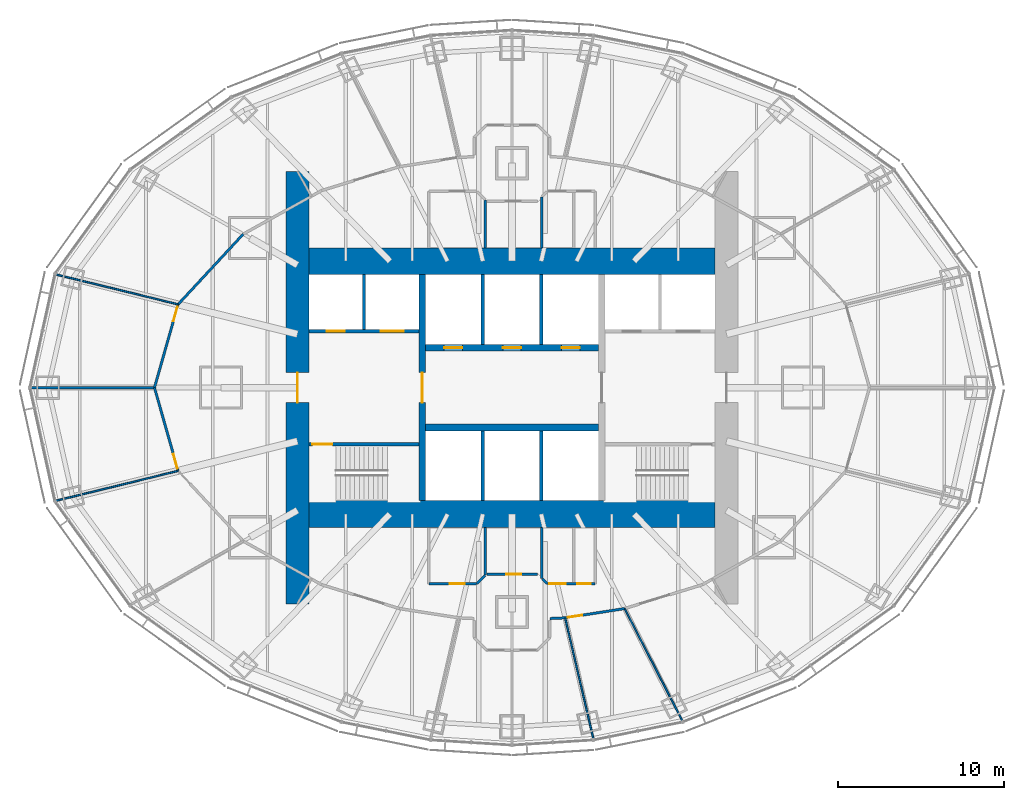
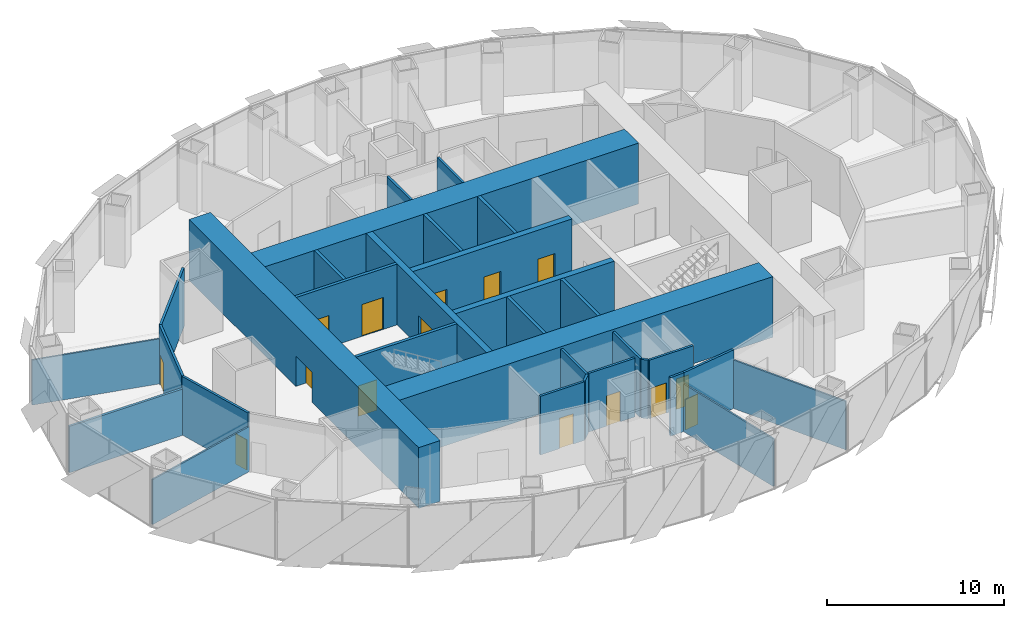
# One storey, part 11 of 17: 32 walls, 15 doors, 15 openings.
"""IFC4 building model written with IfcOpenShell, lengths in metres."""

from ifc_helpers import new_model, si_unit, direction, frame, frame_2d, origin, place, context, subcontext, project, spatial, rectangle, extrude, material, layer, layer_set, type_object, element, fill, save


model = new_model("IFC4")

# Units and contexts
model_context = context("Model", 3, precision=1e-05, world=origin(), true_north=direction((0.0, 1.0)))
body_context = subcontext(model_context, "Body", "Model", "MODEL_VIEW")
ifc_project = project(units=[si_unit("LENGTHUNIT", "METRE"), si_unit("AREAUNIT", "SQUARE_METRE"), si_unit("VOLUMEUNIT", "CUBIC_METRE"), si_unit("PLANEANGLEUNIT", "RADIAN"), si_unit("MASSUNIT", "GRAM", prefix="KILO")], contexts=[model_context])

# Site, building, storey
site_placement = place(None, origin())
site = spatial("IfcSite", under=ifc_project, at=site_placement, CompositionType="ELEMENT")
building_placement = place(site_placement, origin())
building = spatial("IfcBuilding", under=site, at=building_placement, Name="Lantaw Convention Tower", CompositionType="ELEMENT")
storey_placement = place(building_placement, frame((0.0, 0.0, 159.39990234375)))
storey = spatial("IfcBuildingStorey", under=building, at=storey_placement, Name="L37", CompositionType="ELEMENT", Elevation=159.39990234375)

# Wall, opening, door
ifc_material_1 = material(Name="Concrete C60/75", Category="concrete")
ifc_layer_1 = layer(ifc_material_1, 1.39990234375)
ifc_layer_set_1 = layer_set([ifc_layer_1], Name="Core wall 1400")
wall_type_1 = type_object("IfcWallType", Name="Core wall 1400", PredefinedType="SHEAR", material=ifc_layer_set_1)
wall_1_placement = place(storey_placement, frame((-12.89990234375, 13.0, 0.0), z_axis=(0.0, 0.0, 1.0), x_axis=(0.0, -1.0, 0.0)))
wall_1 = element("IfcWall", 1, at=wall_1_placement, inside=storey, type_object=wall_type_1, Name="Core wall W", PredefinedType="SHEAR", context=body_context, shape_type="SweptSolid", body=[
    extrude(rectangle(XDim=26.0, YDim=1.39990234375, at=frame_2d((13.0, 0.0))), origin(), (0.0, 0.0, 1.0), 4.2001953125),
])
opening_1_placement = place(wall_1_placement, frame((12.10009765625, 0.0, 0.0)))
opening_1 = element("IfcOpeningElement", 2, at=opening_1_placement, cuts=wall_1, Name="Opening L37.06", PredefinedType="OPENING", context=body_context, shape_type="SweptSolid", body=[
    extrude(rectangle(XDim=1.800048828125, YDim=2.10009765625, at=frame_2d((0.89990234375, 1.050048828125))), frame((0.0, 0.7099609375, 0.0), z_axis=(0.0, -1.0, 0.0), x_axis=(1.0, 0.0, 0.0)), (0.0, 0.0, 1.0), 1.419921875),
])
ifc_material_2 = material(Name="Steel, fire rated", Category="steel")
door_type_1 = type_object("IfcDoorType", Name="Lobby double door FD90", OperationType="DOUBLE_DOOR_DOUBLE_SWING", PredefinedType="DOOR", material=ifc_material_2)
door_1_placement = place(opening_1_placement, origin())
door_1 = element("IfcDoor", 3, at=door_1_placement, inside=storey, type_object=door_type_1, Name="Firefighting lobby door", OperationType="DOUBLE_DOOR_DOUBLE_SWING", OverallHeight=2.10009765625, OverallWidth=1.800048828125, PredefinedType="DOOR", context=body_context, shape_type="SweptSolid", body=[
    extrude(rectangle(XDim=1.800048828125, YDim=2.10009765625, at=frame_2d((0.89990234375, 1.050048828125))), frame((0.0, 0.02490234375, 0.0), z_axis=(0.0, -1.0, 0.0), x_axis=(1.0, 0.0, 0.0)), (0.0, 0.0, 1.0), 0.050048828125),
])
fill(opening_1, door_1)

# Walls
ifc_layer_2 = layer(ifc_material_1, 1.60009765625)
ifc_layer_set_2 = layer_set([ifc_layer_2], Name="Core wall 1600")
wall_type_2 = type_object("IfcWallType", Name="Core wall 1600", PredefinedType="SHEAR", material=ifc_layer_set_2)
for number, where, z_axis, x_axis, name in (
    (4, (-12.199951171875, -7.60009765625, 0.0), (0.0, 0.0, 1.0), (1.0, 0.0, 0.0), "Core wall S"),
    (5, (12.199951171875, 7.60009765625, 0.0), (0.0, 0.0, 1.0), (-1.0, 0.0, 0.0), "Core wall N"),
):
    element("IfcWall", number, at=place(storey_placement, frame(where, z_axis=z_axis, x_axis=x_axis)), inside=storey, type_object=wall_type_2, Name=name, PredefinedType="SHEAR", context=body_context, shape_type="SweptSolid", body=[
        extrude(rectangle(XDim=24.39990234375, YDim=1.60009765625, at=frame_2d((12.199951171875, 0.0))), origin(), (0.0, 0.0, 1.0), 4.2001953125),
    ])

# Wall, opening, door
ifc_layer_3 = layer(ifc_material_1, 0.199951171875)
ifc_layer_set_3 = layer_set([ifc_layer_3], Name="Core wall 200")
wall_type_3 = type_object("IfcWallType", Name="Core wall 200", PredefinedType="SHEAR", material=ifc_layer_set_3)
wall_2_placement = place(storey_placement, frame((-5.60009765625, -3.39990234375, 0.0), z_axis=(0.0, 0.0, 1.0), x_axis=(-1.0, 0.0, 0.0)))
wall_2 = element("IfcWall", 6, at=wall_2_placement, inside=storey, type_object=wall_type_3, Name="Core wall WS", PredefinedType="SHEAR", context=body_context, shape_type="SweptSolid", body=[
    extrude(rectangle(XDim=6.599853515625, YDim=0.199951171875, at=frame_2d((3.2998046875, 0.0))), origin(), (0.0, 0.0, 1.0), 4.2001953125),
])
opening_2_placement = place(wall_2_placement, frame((5.199951171875, 0.0, 0.0)))
opening_2 = element("IfcOpeningElement", 7, at=opening_2_placement, cuts=wall_2, Name="Opening L37.04", PredefinedType="OPENING", context=body_context, shape_type="SweptSolid", body=[
    extrude(rectangle(XDim=1.199951171875, YDim=2.10009765625, at=frame_2d((0.60009765625, 1.050048828125))), frame((0.0, 0.10986328125, 0.0), z_axis=(0.0, -1.0, 0.0), x_axis=(1.0, 0.0, 0.0)), (0.0, 0.0, 1.0), 0.219970703125),
])
door_type_2 = type_object("IfcDoorType", Name="Stair door FD90", OperationType="SINGLE_SWING_RIGHT", PredefinedType="DOOR", material=ifc_material_2)
door_2_placement = place(opening_2_placement, origin())
door_2 = element("IfcDoor", 8, at=door_2_placement, inside=storey, type_object=door_type_2, Name="Exit stair door", OperationType="SINGLE_SWING_RIGHT", OverallHeight=2.10009765625, OverallWidth=1.199951171875, PredefinedType="DOOR", context=body_context, shape_type="SweptSolid", body=[
    extrude(rectangle(XDim=1.199951171875, YDim=2.10009765625, at=frame_2d((0.60009765625, 1.050048828125))), frame((0.0, 0.02490234375, 0.0), z_axis=(0.0, -1.0, 0.0), x_axis=(1.0, 0.0, 0.0)), (0.0, 0.0, 1.0), 0.050048828125),
])
fill(opening_2, door_2)

ifc_layer_4 = layer(ifc_material_1, 0.39990234375)
ifc_layer_set_4 = layer_set([ifc_layer_4], Name="Core wall 400")
wall_type_4 = type_object("IfcWallType", Name="Core wall 400", PredefinedType="SHEAR", material=ifc_layer_set_4)
wall_3_placement = place(storey_placement, frame((-5.39990234375, 6.800048828125, 0.0), z_axis=(0.0, 0.0, 1.0), x_axis=(0.0, -1.0, 0.0)))
wall_3 = element("IfcWall", 9, at=wall_3_placement, inside=storey, type_object=wall_type_4, Name="Core wall XW", PredefinedType="SHEAR", context=body_context, shape_type="SweptSolid", body=[
    extrude(rectangle(XDim=13.60009765625, YDim=0.39990234375, at=frame_2d((6.800048828125, 0.0))), origin(), (0.0, 0.0, 1.0), 4.2001953125),
])
opening_3_placement = place(wall_3_placement, frame((5.89990234375, 0.0, 0.0)))
opening_3 = element("IfcOpeningElement", 10, at=opening_3_placement, cuts=wall_3, Name="Opening L37.02", PredefinedType="OPENING", context=body_context, shape_type="SweptSolid", body=[
    extrude(rectangle(XDim=1.800048828125, YDim=2.10009765625, at=frame_2d((0.89990234375, 1.050048828125))), frame((0.0, 0.2099609375, 0.0), z_axis=(0.0, -1.0, 0.0), x_axis=(1.0, 0.0, 0.0)), (0.0, 0.0, 1.0), 0.419921875),
])
door_3_placement = place(opening_3_placement, origin())
door_3 = element("IfcDoor", 11, at=door_3_placement, inside=storey, type_object=door_type_1, Name="Lift lobby door", OperationType="DOUBLE_DOOR_DOUBLE_SWING", OverallHeight=2.10009765625, OverallWidth=1.800048828125, PredefinedType="DOOR", context=body_context, shape_type="SweptSolid", body=[
    extrude(rectangle(XDim=1.800048828125, YDim=2.10009765625, at=frame_2d((0.89990234375, 1.050048828125))), frame((0.0, 0.02490234375, 0.0), z_axis=(0.0, -1.0, 0.0), x_axis=(1.0, 0.0, 0.0)), (0.0, 0.0, 1.0), 0.050048828125),
])
fill(opening_3, door_3)

# Wall
wall_4_placement = place(storey_placement, frame((-5.199951171875, -2.39990234375, 0.0), z_axis=(0.0, 0.0, 1.0), x_axis=(1.0, 0.0, 0.0)))
element("IfcWall", 12, at=wall_4_placement, inside=storey, type_object=wall_type_4, Name="Core wall BS", PredefinedType="SHEAR", context=body_context, shape_type="SweptSolid", body=[
    extrude(rectangle(XDim=10.39990234375, YDim=0.39990234375, at=frame_2d((5.199951171875, 0.0))), origin(), (0.0, 0.0, 1.0), 4.2001953125),
])

# Wall, openings, doors
wall_5_placement = place(storey_placement, frame((5.199951171875, 2.39990234375, 0.0), z_axis=(0.0, 0.0, 1.0), x_axis=(-1.0, 0.0, 0.0)))
wall_5 = element("IfcWall", 13, at=wall_5_placement, inside=storey, type_object=wall_type_4, Name="Core wall BN", PredefinedType="SHEAR", context=body_context, shape_type="SweptSolid", body=[
    extrude(rectangle(XDim=10.39990234375, YDim=0.39990234375, at=frame_2d((5.199951171875, 0.0))), origin(), (0.0, 0.0, 1.0), 4.2001953125),
])
opening_4_placement = place(wall_5_placement, frame((8.183349609375, 0.0, 0.0)))
opening_4 = element("IfcOpeningElement", 14, at=opening_4_placement, cuts=wall_5, Name="Opening L37.07", PredefinedType="OPENING", context=body_context, shape_type="SweptSolid", body=[
    extrude(rectangle(XDim=1.10009765625, YDim=2.199951171875, at=frame_2d((0.550048828125, 1.10009765625))), frame((0.0, 0.2099609375, 0.0), z_axis=(0.0, -1.0, 0.0), x_axis=(1.0, 0.0, 0.0)), (0.0, 0.0, 1.0), 0.419921875),
])
opening_5_placement = place(wall_5_placement, frame((4.64990234375, 0.0, 0.0)))
opening_5 = element("IfcOpeningElement", 15, at=opening_5_placement, cuts=wall_5, Name="Opening L37.08", PredefinedType="OPENING", context=body_context, shape_type="SweptSolid", body=[
    extrude(rectangle(XDim=1.10009765625, YDim=2.199951171875, at=frame_2d((0.550048828125, 1.10009765625))), frame((0.0, 0.2099609375, 0.0), z_axis=(0.0, -1.0, 0.0), x_axis=(1.0, 0.0, 0.0)), (0.0, 0.0, 1.0), 0.419921875),
])
opening_6_placement = place(wall_5_placement, frame((1.11669921875, 0.0, 0.0)))
opening_6 = element("IfcOpeningElement", 16, at=opening_6_placement, cuts=wall_5, Name="Opening L37.09", PredefinedType="OPENING", context=body_context, shape_type="SweptSolid", body=[
    extrude(rectangle(XDim=1.10009765625, YDim=2.199951171875, at=frame_2d((0.550048828125, 1.10009765625))), frame((0.0, 0.2099609375, 0.0), z_axis=(0.0, -1.0, 0.0), x_axis=(1.0, 0.0, 0.0)), (0.0, 0.0, 1.0), 0.419921875),
])
ifc_material_3 = material(Name="Stainless steel", Category="steel")
door_type_3 = type_object("IfcDoorType", Name="Lift landing door 1100", OperationType="DOUBLE_DOOR_SLIDING", PredefinedType="DOOR", material=ifc_material_3)
door_4_placement = place(opening_4_placement, origin())
door_4 = element("IfcDoor", 17, at=door_4_placement, inside=storey, type_object=door_type_3, Name="Lift landing door N1", OperationType="DOUBLE_DOOR_SLIDING", OverallHeight=2.199951171875, OverallWidth=1.10009765625, PredefinedType="DOOR", context=body_context, shape_type="SweptSolid", body=[
    extrude(rectangle(XDim=1.10009765625, YDim=2.199951171875, at=frame_2d((0.550048828125, 1.10009765625))), frame((0.0, 0.02490234375, 0.0), z_axis=(0.0, -1.0, 0.0), x_axis=(1.0, 0.0, 0.0)), (0.0, 0.0, 1.0), 0.050048828125),
])
fill(opening_4, door_4)
door_5_placement = place(opening_5_placement, origin())
door_5 = element("IfcDoor", 18, at=door_5_placement, inside=storey, type_object=door_type_3, Name="Lift landing door N2", OperationType="DOUBLE_DOOR_SLIDING", OverallHeight=2.199951171875, OverallWidth=1.10009765625, PredefinedType="DOOR", context=body_context, shape_type="SweptSolid", body=[
    extrude(rectangle(XDim=1.10009765625, YDim=2.199951171875, at=frame_2d((0.550048828125, 1.10009765625))), frame((0.0, 0.02490234375, 0.0), z_axis=(0.0, -1.0, 0.0), x_axis=(1.0, 0.0, 0.0)), (0.0, 0.0, 1.0), 0.050048828125),
])
fill(opening_5, door_5)
door_6_placement = place(opening_6_placement, origin())
door_6 = element("IfcDoor", 19, at=door_6_placement, inside=storey, type_object=door_type_3, Name="Lift landing door N3", OperationType="DOUBLE_DOOR_SLIDING", OverallHeight=2.199951171875, OverallWidth=1.10009765625, PredefinedType="DOOR", context=body_context, shape_type="SweptSolid", body=[
    extrude(rectangle(XDim=1.10009765625, YDim=2.199951171875, at=frame_2d((0.550048828125, 1.10009765625))), frame((0.0, 0.02490234375, 0.0), z_axis=(0.0, -1.0, 0.0), x_axis=(1.0, 0.0, 0.0)), (0.0, 0.0, 1.0), 0.050048828125),
])
fill(opening_6, door_6)

# Wall
ifc_material_4 = material(Name="Gypsum board on steel studs, fire rated", Category="steel")
ifc_layer_5 = layer(ifc_material_4, 0.14990234375)
ifc_layer_set_5 = layer_set([ifc_layer_5], Name="Corridor wall 150 EI 60")
wall_type_5 = type_object("IfcWallType", Name="Corridor wall 150 EI 60", PredefinedType="PARTITIONING", material=ifc_layer_set_5)
wall_6_placement = place(storey_placement, frame((-16.159912109375, 9.234375, 0.0), z_axis=(0.0, 0.0, 1.0), x_axis=(-0.679724658223, -0.733467374191, 0.0)))
element("IfcWall", 20, at=wall_6_placement, inside=storey, type_object=wall_type_5, Name="Corridor wall 150", PredefinedType="PARTITIONING", context=body_context, shape_type="SweptSolid", body=[
    extrude(rectangle(XDim=5.764892578125, YDim=0.14990234375, at=frame_2d((2.88232421875, 0.0))), origin(), (0.0, 0.0, 1.0), 4.050048828125),
])

# Wall, opening, door
wall_7_placement = place(storey_placement, frame((-20.078369140625, 5.006103515625, 0.0), z_axis=(0.0, 0.0, 1.0), x_axis=(-0.273177936169, -0.961963520717, 0.0)))
wall_7 = element("IfcWall", 21, at=wall_7_placement, inside=storey, type_object=wall_type_5, Name="Corridor wall 150", PredefinedType="PARTITIONING", context=body_context, shape_type="SweptSolid", body=[
    extrude(rectangle(XDim=5.2041015625, YDim=0.14990234375, at=frame_2d((2.60205078125, 0.0))), origin(), (0.0, 0.0, 1.0), 4.050048828125),
])
opening_7_placement = place(wall_7_placement, frame((0.14990234375, 0.0, 0.0)))
opening_7 = element("IfcOpeningElement", 22, at=opening_7_placement, cuts=wall_7, Name="Opening L37.29", PredefinedType="OPENING", context=body_context, shape_type="SweptSolid", body=[
    extrude(rectangle(XDim=0.89990234375, YDim=2.10009765625, at=frame_2d((0.449951171875, 1.050048828125))), frame((0.0, 0.0849609375, 0.0), z_axis=(0.0, -1.0, 0.0), x_axis=(1.0, 0.0, 0.0)), (0.0, 0.0, 1.0), 0.169921875),
])
door_type_4 = type_object("IfcDoorType", Name="Office door 900 FD30", OperationType="SINGLE_SWING_LEFT", PredefinedType="DOOR", material=ifc_material_2)
door_7_placement = place(opening_7_placement, origin())
door_7 = element("IfcDoor", 23, at=door_7_placement, inside=storey, type_object=door_type_4, Name="Pantry door", OperationType="SINGLE_SWING_LEFT", OverallHeight=2.10009765625, OverallWidth=0.89990234375, PredefinedType="DOOR", context=body_context, shape_type="SweptSolid", body=[
    extrude(rectangle(XDim=0.89990234375, YDim=2.10009765625, at=frame_2d((0.449951171875, 1.050048828125))), frame((0.0, 0.02490234375, 0.0), z_axis=(0.0, -1.0, 0.0), x_axis=(1.0, 0.0, 0.0)), (0.0, 0.0, 1.0), 0.050048828125),
])
fill(opening_7, door_7)

wall_8_placement = place(storey_placement, frame((-21.5, 0.0, 0.0), z_axis=(0.0, 0.0, 1.0), x_axis=(0.273177936169, -0.961963520717, 0.0)))
wall_8 = element("IfcWall", 24, at=wall_8_placement, inside=storey, type_object=wall_type_5, Name="Corridor wall 150", PredefinedType="PARTITIONING", context=body_context, shape_type="SweptSolid", body=[
    extrude(rectangle(XDim=5.2041015625, YDim=0.14990234375, at=frame_2d((2.60205078125, 0.0))), origin(), (0.0, 0.0, 1.0), 4.050048828125),
])
opening_8_placement = place(wall_8_placement, frame((4.154052734375, 0.0, 0.0)))
opening_8 = element("IfcOpeningElement", 25, at=opening_8_placement, cuts=wall_8, Name="Opening L37.30", PredefinedType="OPENING", context=body_context, shape_type="SweptSolid", body=[
    extrude(rectangle(XDim=0.89990234375, YDim=2.10009765625, at=frame_2d((0.449951171875, 1.050048828125))), frame((0.0, 0.0849609375, 0.0), z_axis=(0.0, -1.0, 0.0), x_axis=(1.0, 0.0, 0.0)), (0.0, 0.0, 1.0), 0.169921875),
])
door_8_placement = place(opening_8_placement, origin())
door_8 = element("IfcDoor", 26, at=door_8_placement, inside=storey, type_object=door_type_4, Name="Meeting room door", OperationType="SINGLE_SWING_LEFT", OverallHeight=2.10009765625, OverallWidth=0.89990234375, PredefinedType="DOOR", context=body_context, shape_type="SweptSolid", body=[
    extrude(rectangle(XDim=0.89990234375, YDim=2.10009765625, at=frame_2d((0.449951171875, 1.050048828125))), frame((0.0, 0.02490234375, 0.0), z_axis=(0.0, -1.0, 0.0), x_axis=(1.0, 0.0, 0.0)), (0.0, 0.0, 1.0), 0.050048828125),
])
fill(opening_8, door_8)

wall_9_placement = place(storey_placement, frame((3.1962890625, -13.844482421875, 0.0), z_axis=(0.0, 0.0, 1.0), x_axis=(0.98808911792, 0.153882731479, 0.0)))
wall_9 = element("IfcWall", 27, at=wall_9_placement, inside=storey, type_object=wall_type_5, Name="Corridor wall 150", PredefinedType="PARTITIONING", context=body_context, shape_type="SweptSolid", body=[
    extrude(rectangle(XDim=3.6171875, YDim=0.14990234375, at=frame_2d((1.80859375, 0.0))), origin(), (0.0, 0.0, 1.0), 4.050048828125),
])
opening_9_placement = place(wall_9_placement, frame((0.14990234375, 0.0, 0.0)))
opening_9 = element("IfcOpeningElement", 28, at=opening_9_placement, cuts=wall_9, Name="Opening L37.35", PredefinedType="OPENING", context=body_context, shape_type="SweptSolid", body=[
    extrude(rectangle(XDim=0.89990234375, YDim=2.10009765625, at=frame_2d((0.449951171875, 1.050048828125))), frame((0.0, 0.0849609375, 0.0), z_axis=(0.0, -1.0, 0.0), x_axis=(1.0, 0.0, 0.0)), (0.0, 0.0, 1.0), 0.169921875),
])
door_9_placement = place(opening_9_placement, origin())
door_9 = element("IfcDoor", 29, at=door_9_placement, inside=storey, type_object=door_type_4, Name="Private office door", OperationType="SINGLE_SWING_LEFT", OverallHeight=2.10009765625, OverallWidth=0.89990234375, PredefinedType="DOOR", context=body_context, shape_type="SweptSolid", body=[
    extrude(rectangle(XDim=0.89990234375, YDim=2.10009765625, at=frame_2d((0.449951171875, 1.050048828125))), frame((0.0, 0.02490234375, 0.0), z_axis=(0.0, -1.0, 0.0), x_axis=(1.0, 0.0, 0.0)), (0.0, 0.0, 1.0), 0.050048828125),
])
fill(opening_9, door_9)

# Walls
wall_10_placement = place(storey_placement, frame((2.294921875, -13.88818359375, 0.0), z_axis=(0.0, 0.0, 1.0), x_axis=(0.998826757305, 0.048426324366, 0.0)))
element("IfcWall", 30, at=wall_10_placement, inside=storey, type_object=wall_type_5, Name="Corridor wall 150", PredefinedType="PARTITIONING", context=body_context, shape_type="SweptSolid", body=[
    extrude(rectangle(XDim=0.90234375, YDim=0.14990234375, at=frame_2d((0.451171875, 0.0))), origin(), (0.0, 0.0, 1.0), 4.050048828125),
])
ifc_material_5 = material(Name="Gypsum board on steel studs, acoustic", Category="steel")
ifc_layer_6 = layer(ifc_material_5, 0.10009765625)
ifc_layer_set_6 = layer_set([ifc_layer_6], Name="Office partition 100")
wall_type_6 = type_object("IfcWallType", Name="Office partition 100", PredefinedType="PARTITIONING", material=ifc_layer_set_6)
for number, where, z_axis, x_axis, name in (
    (31, (-27.440673828125, 6.808837890625, 0.0), (0.0, 0.0, 1.0), (0.971305815804, -0.237834001323, 0.0), "Office partition 100"),
    (32, (-27.440673828125, -6.808837890625, 0.0), (0.0, 0.0, 1.0), (0.971305815804, 0.237834001323, 0.0), "Office partition 100"),
):
    element("IfcWall", number, at=place(storey_placement, frame(where, z_axis=z_axis, x_axis=x_axis)), inside=storey, type_object=wall_type_6, Name=name, PredefinedType="PARTITIONING", context=body_context, shape_type="SweptSolid", body=[
        extrude(rectangle(XDim=7.579833984375, YDim=0.10009765625, at=frame_2d((3.7900390625, 0.0))), origin(), (0.0, 0.0, 1.0), 3.11279296875),
    ])
wall_11_placement = place(storey_placement, frame((4.89697265625, -21.134765625, 0.0), z_axis=(0.0, 0.0, 1.0), x_axis=(-0.227181159974, 0.973852514785, 0.0)))
element("IfcWall", 33, at=wall_11_placement, inside=storey, type_object=wall_type_6, Name="Office partition 100", PredefinedType="PARTITIONING", context=body_context, shape_type="SweptSolid", body=[
    extrude(rectangle(XDim=7.486083984375, YDim=0.10009765625, at=frame_2d((3.7431640625, 0.0))), origin(), (0.0, 0.0, 1.0), 3.293212890625),
])
wall_12_placement = place(storey_placement, frame((10.25341796875, -20.0517578125, 0.0), z_axis=(0.0, 0.0, 1.0), x_axis=(-0.457797505753, 0.88905649074, 0.0)))
element("IfcWall", 34, at=wall_12_placement, inside=storey, type_object=wall_type_6, Name="Office partition 100", PredefinedType="PARTITIONING", context=body_context, shape_type="SweptSolid", body=[
    extrude(rectangle(XDim=7.60791015625, YDim=0.10009765625, at=frame_2d((3.803955078125, 0.0))), origin(), (0.0, 0.0, 1.0), 3.34912109375),
])
ifc_material_6 = material(Name="Concrete blockwork, fire rated", Category="masonry")
ifc_layer_7 = layer(ifc_material_6, 0.199951171875)
ifc_layer_set_7 = layer_set([ifc_layer_7], Name="Shaft wall 200")
wall_type_7 = type_object("IfcWallType", Name="Shaft wall 200", PredefinedType="SOLIDWALL", material=ifc_layer_set_7)
for number, where, z_axis, x_axis, name in (
    (35, (-1.7666015625, 2.60009765625, 0.0), (0.0, 0.0, 1.0), (0.0, 1.0, 0.0), "Shaft wall DN1"),
    (36, (1.7666015625, 2.60009765625, 0.0), (0.0, 0.0, 1.0), (0.0, 1.0, 0.0), "Shaft wall DN2"),
):
    element("IfcWall", number, at=place(storey_placement, frame(where, z_axis=z_axis, x_axis=x_axis)), inside=storey, type_object=wall_type_7, Name=name, PredefinedType="SOLIDWALL", context=body_context, shape_type="SweptSolid", body=[
        extrude(rectangle(XDim=4.199951171875, YDim=0.199951171875, at=frame_2d((2.10009765625, 0.0))), origin(), (0.0, 0.0, 1.0), 4.2001953125),
    ])

# Wall, openings, doors
wall_13_placement = place(storey_placement, frame((-12.199951171875, 3.39990234375, 0.0), z_axis=(0.0, 0.0, 1.0), x_axis=(1.0, 0.0, 0.0)))
wall_13 = element("IfcWall", 37, at=wall_13_placement, inside=storey, type_object=wall_type_7, Name="Shaft wall WN", PredefinedType="SOLIDWALL", context=body_context, shape_type="SweptSolid", body=[
    extrude(rectangle(XDim=6.599853515625, YDim=0.199951171875, at=frame_2d((3.2998046875, 0.0))), origin(), (0.0, 0.0, 1.0), 4.2001953125),
])
opening_10_placement = place(wall_13_placement, frame((1.050048828125, 0.0, 0.0)))
opening_10 = element("IfcOpeningElement", 38, at=opening_10_placement, cuts=wall_13, Name="Opening L37.10", PredefinedType="OPENING", context=body_context, shape_type="SweptSolid", body=[
    extrude(rectangle(XDim=1.10009765625, YDim=2.199951171875, at=frame_2d((0.550048828125, 1.10009765625))), frame((0.0, 0.10986328125, 0.0), z_axis=(0.0, -1.0, 0.0), x_axis=(1.0, 0.0, 0.0)), (0.0, 0.0, 1.0), 0.219970703125),
])
opening_11_placement = place(wall_13_placement, frame((4.300048828125, 0.0, 0.0)))
opening_11 = element("IfcOpeningElement", 39, at=opening_11_placement, cuts=wall_13, Name="Opening L37.11", PredefinedType="OPENING", context=body_context, shape_type="SweptSolid", body=[
    extrude(rectangle(XDim=1.39990234375, YDim=2.199951171875, at=frame_2d((0.699951171875, 1.10009765625))), frame((0.0, 0.10986328125, 0.0), z_axis=(0.0, -1.0, 0.0), x_axis=(1.0, 0.0, 0.0)), (0.0, 0.0, 1.0), 0.219970703125),
])
door_10_placement = place(opening_10_placement, origin())
door_10 = element("IfcDoor", 40, at=door_10_placement, inside=storey, type_object=door_type_3, Name="Lift landing door FF1", OperationType="DOUBLE_DOOR_SLIDING", OverallHeight=2.199951171875, OverallWidth=1.10009765625, PredefinedType="DOOR", context=body_context, shape_type="SweptSolid", body=[
    extrude(rectangle(XDim=1.10009765625, YDim=2.199951171875, at=frame_2d((0.550048828125, 1.10009765625))), frame((0.0, 0.02490234375, 0.0), z_axis=(0.0, -1.0, 0.0), x_axis=(1.0, 0.0, 0.0)), (0.0, 0.0, 1.0), 0.050048828125),
])
fill(opening_10, door_10)
door_type_5 = type_object("IfcDoorType", Name="Lift landing door 1400", OperationType="DOUBLE_DOOR_SLIDING", PredefinedType="DOOR", material=ifc_material_3)
door_11_placement = place(opening_11_placement, origin())
door_11 = element("IfcDoor", 41, at=door_11_placement, inside=storey, type_object=door_type_5, Name="Lift landing door SV1", OperationType="DOUBLE_DOOR_SLIDING", OverallHeight=2.199951171875, OverallWidth=1.39990234375, PredefinedType="DOOR", context=body_context, shape_type="SweptSolid", body=[
    extrude(rectangle(XDim=1.39990234375, YDim=2.199951171875, at=frame_2d((0.699951171875, 1.10009765625))), frame((0.0, 0.02490234375, 0.0), z_axis=(0.0, -1.0, 0.0), x_axis=(1.0, 0.0, 0.0)), (0.0, 0.0, 1.0), 0.050048828125),
])
fill(opening_11, door_11)

# Walls
wall_14_placement = place(storey_placement, frame((-8.89990234375, 3.5, 0.0), z_axis=(0.0, 0.0, 1.0), x_axis=(0.0, 1.0, 0.0)))
element("IfcWall", 42, at=wall_14_placement, inside=storey, type_object=wall_type_7, Name="Shaft wall WD", PredefinedType="SOLIDWALL", context=body_context, shape_type="SweptSolid", body=[
    extrude(rectangle(XDim=3.300048828125, YDim=0.199951171875, at=frame_2d((1.64990234375, 0.0))), origin(), (0.0, 0.0, 1.0), 4.2001953125),
])
ifc_layer_8 = layer(ifc_material_6, 0.199951171875)
ifc_layer_set_8 = layer_set([ifc_layer_8], Name="Shaft wall 200 load-bearing")
wall_type_8 = type_object("IfcWallType", Name="Shaft wall 200 load-bearing", PredefinedType="SOLIDWALL", material=ifc_layer_set_8)
for number, where, z_axis, x_axis, name in (
    (43, (-1.7666015625, -2.60009765625, 0.0), (0.0, 0.0, 1.0), (0.0, -1.0, 0.0), "Shaft wall DS1"),
    (44, (1.7666015625, -2.60009765625, 0.0), (0.0, 0.0, 1.0), (0.0, -1.0, 0.0), "Shaft wall DS2"),
):
    element("IfcWall", number, at=place(storey_placement, frame(where, z_axis=z_axis, x_axis=x_axis)), inside=storey, type_object=wall_type_8, Name=name, PredefinedType="SOLIDWALL", context=body_context, shape_type="SweptSolid", body=[
        extrude(rectangle(XDim=4.199951171875, YDim=0.199951171875, at=frame_2d((2.10009765625, 0.0))), origin(), (0.0, 0.0, 1.0), 4.2001953125),
    ])
ifc_layer_9 = layer(ifc_material_4, 0.14990234375)
ifc_layer_set_9 = layer_set([ifc_layer_9], Name="Tenant separation wall 150 EI 60")
wall_type_9 = type_object("IfcWallType", Name="Tenant separation wall 150 EI 60", PredefinedType="PARTITIONING", material=ifc_layer_set_9)
wall_15_placement = place(storey_placement, frame((-28.944091796875, 0.0, 0.0), z_axis=(0.0, 0.0, 1.0), x_axis=(1.0, 0.0, 0.0)))
element("IfcWall", 45, at=wall_15_placement, inside=storey, type_object=wall_type_9, Name="Tenant separation wall 150", PredefinedType="PARTITIONING", context=body_context, shape_type="SweptSolid", body=[
    extrude(rectangle(XDim=7.444091796875, YDim=0.14990234375, at=frame_2d((3.72216796875, 0.0))), origin(), (0.0, 0.0, 1.0), 3.204345703125),
])

# Wall, opening, door
ifc_material_7 = material(Name="Concrete blockwork", Category="masonry")
ifc_layer_10 = layer(ifc_material_7, 0.14990234375)
ifc_layer_set_10 = layer_set([ifc_layer_10], Name="WC wall 150")
wall_type_10 = type_object("IfcWallType", Name="WC wall 150", PredefinedType="SOLIDWALL", material=ifc_layer_set_10)
wall_16_placement = place(storey_placement, frame((-5.0, -11.800048828125, 0.0), z_axis=(0.0, 0.0, 1.0), x_axis=(1.0, 0.0, 0.0)))
wall_16 = element("IfcWall", 46, at=wall_16_placement, inside=storey, type_object=wall_type_10, Name="WC wall 150", PredefinedType="SOLIDWALL", context=body_context, shape_type="SweptSolid", body=[
    extrude(rectangle(XDim=2.86865234375, YDim=0.14990234375, at=frame_2d((1.434326171875, 0.0))), origin(), (0.0, 0.0, 1.0), 4.050048828125),
])
opening_12_placement = place(wall_16_placement, frame((1.25, 0.0, 0.0)))
opening_12 = element("IfcOpeningElement", 47, at=opening_12_placement, cuts=wall_16, Name="Opening L37.18", PredefinedType="OPENING", context=body_context, shape_type="SweptSolid", body=[
    extrude(rectangle(XDim=0.89990234375, YDim=2.10009765625, at=frame_2d((0.449951171875, 1.050048828125))), frame((0.0, 0.0849609375, 0.0), z_axis=(0.0, -1.0, 0.0), x_axis=(1.0, 0.0, 0.0)), (0.0, 0.0, 1.0), 0.169921875),
])
ifc_material_8 = material(Name="Timber", Category="wood")
door_type_6 = type_object("IfcDoorType", Name="WC door 900", OperationType="SINGLE_SWING_LEFT", PredefinedType="DOOR", material=ifc_material_8)
door_12_placement = place(opening_12_placement, origin())
door_12 = element("IfcDoor", 48, at=door_12_placement, inside=storey, type_object=door_type_6, Name="Female WC door", OperationType="SINGLE_SWING_LEFT", OverallHeight=2.10009765625, OverallWidth=0.89990234375, PredefinedType="DOOR", context=body_context, shape_type="SweptSolid", body=[
    extrude(rectangle(XDim=0.89990234375, YDim=2.10009765625, at=frame_2d((0.449951171875, 1.050048828125))), frame((0.0, 0.02490234375, 0.0), z_axis=(0.0, -1.0, 0.0), x_axis=(1.0, 0.0, 0.0)), (0.0, 0.0, 1.0), 0.050048828125),
])
fill(opening_12, door_12)

# Wall, openings, doors
wall_17_placement = place(storey_placement, frame((2.13134765625, -11.800048828125, 0.0), z_axis=(0.0, 0.0, 1.0), x_axis=(1.0, 0.0, 0.0)))
wall_17 = element("IfcWall", 49, at=wall_17_placement, inside=storey, type_object=wall_type_10, Name="WC wall 150", PredefinedType="SOLIDWALL", context=body_context, shape_type="SweptSolid", body=[
    extrude(rectangle(XDim=2.86865234375, YDim=0.14990234375, at=frame_2d((1.434326171875, 0.0))), origin(), (0.0, 0.0, 1.0), 4.050048828125),
])
opening_13_placement = place(wall_17_placement, frame((0.10009765625, 0.0, 0.0)))
opening_13 = element("IfcOpeningElement", 50, at=opening_13_placement, cuts=wall_17, Name="Opening L37.20", PredefinedType="OPENING", context=body_context, shape_type="SweptSolid", body=[
    extrude(rectangle(XDim=1.0, YDim=2.10009765625, at=frame_2d((0.5, 1.050048828125))), frame((0.0, 0.0849609375, 0.0), z_axis=(0.0, -1.0, 0.0), x_axis=(1.0, 0.0, 0.0)), (0.0, 0.0, 1.0), 0.169921875),
])
opening_14_placement = place(wall_17_placement, frame((1.800048828125, 0.0, 0.0)))
opening_14 = element("IfcOpeningElement", 51, at=opening_14_placement, cuts=wall_17, Name="Opening L37.21", PredefinedType="OPENING", context=body_context, shape_type="SweptSolid", body=[
    extrude(rectangle(XDim=0.800048828125, YDim=2.10009765625, at=frame_2d((0.39990234375, 1.050048828125))), frame((0.0, 0.0849609375, 0.0), z_axis=(0.0, -1.0, 0.0), x_axis=(1.0, 0.0, 0.0)), (0.0, 0.0, 1.0), 0.169921875),
])
door_type_7 = type_object("IfcDoorType", Name="Accessible WC door 1000", OperationType="SINGLE_SWING_LEFT", PredefinedType="DOOR", material=ifc_material_8)
door_13_placement = place(opening_13_placement, origin())
door_13 = element("IfcDoor", 52, at=door_13_placement, inside=storey, type_object=door_type_7, Name="Accessible WC door", OperationType="SINGLE_SWING_LEFT", OverallHeight=2.10009765625, OverallWidth=1.0, PredefinedType="DOOR", context=body_context, shape_type="SweptSolid", body=[
    extrude(rectangle(XDim=1.0, YDim=2.10009765625, at=frame_2d((0.5, 1.050048828125))), frame((0.0, 0.02490234375, 0.0), z_axis=(0.0, -1.0, 0.0), x_axis=(1.0, 0.0, 0.0)), (0.0, 0.0, 1.0), 0.050048828125),
])
fill(opening_13, door_13)
door_type_8 = type_object("IfcDoorType", Name="WC door 800", OperationType="SINGLE_SWING_LEFT", PredefinedType="DOOR", material=ifc_material_8)
door_14_placement = place(opening_14_placement, origin())
door_14 = element("IfcDoor", 53, at=door_14_placement, inside=storey, type_object=door_type_8, Name="Pantry door", OperationType="SINGLE_SWING_LEFT", OverallHeight=2.10009765625, OverallWidth=0.800048828125, PredefinedType="DOOR", context=body_context, shape_type="SweptSolid", body=[
    extrude(rectangle(XDim=0.800048828125, YDim=2.10009765625, at=frame_2d((0.39990234375, 1.050048828125))), frame((0.0, 0.02490234375, 0.0), z_axis=(0.0, -1.0, 0.0), x_axis=(1.0, 0.0, 0.0)), (0.0, 0.0, 1.0), 0.050048828125),
])
fill(opening_14, door_14)

# Walls
wall_18_placement = place(storey_placement, frame((-1.60009765625, -8.39990234375, 0.0), z_axis=(0.0, 0.0, 1.0), x_axis=(0.0, -1.0, 0.0)))
element("IfcWall", 54, at=wall_18_placement, inside=storey, type_object=wall_type_10, Name="WC wall 150", PredefinedType="SOLIDWALL", context=body_context, shape_type="SweptSolid", body=[
    extrude(rectangle(XDim=2.86865234375, YDim=0.14990234375, at=frame_2d((1.434326171875, 0.0))), origin(), (0.0, 0.0, 1.0), 4.050048828125),
])
wall_19_placement = place(storey_placement, frame((1.800048828125, -8.39990234375, 0.0), z_axis=(0.0, 0.0, 1.0), x_axis=(0.0, -1.0, 0.0)))
element("IfcWall", 55, at=wall_19_placement, inside=storey, type_object=wall_type_10, Name="WC wall 150", PredefinedType="SOLIDWALL", context=body_context, shape_type="SweptSolid", body=[
    extrude(rectangle(XDim=3.068603515625, YDim=0.14990234375, at=frame_2d((1.5341796875, 0.0))), origin(), (0.0, 0.0, 1.0), 4.050048828125),
])
wall_20_placement = place(storey_placement, frame((-2.101318359375, -11.7841796875, 0.0), z_axis=(0.0, 0.0, 1.0), x_axis=(0.706928959799, 0.707284557867, 0.0)))
element("IfcWall", 56, at=wall_20_placement, inside=storey, type_object=wall_type_10, Name="WC wall 150", PredefinedType="SOLIDWALL", context=body_context, shape_type="SweptSolid", body=[
    extrude(rectangle(XDim=0.6865234375, YDim=0.14990234375, at=frame_2d((0.34326171875, 0.0))), origin(), (0.0, 0.0, 1.0), 4.050048828125),
])

# Wall, opening, door
wall_21_placement = place(storey_placement, frame((-1.4951171875, -11.215087890625, 0.0), z_axis=(0.0, 0.0, 1.0), x_axis=(1.0, 0.0, 0.0)))
wall_21 = element("IfcWall", 57, at=wall_21_placement, inside=storey, type_object=wall_type_10, Name="WC wall 150", PredefinedType="SOLIDWALL", context=body_context, shape_type="SweptSolid", body=[
    extrude(rectangle(XDim=3.02734375, YDim=0.14990234375, at=frame_2d((1.513671875, 0.0))), origin(), (0.0, 0.0, 1.0), 4.050048828125),
])
opening_15_placement = place(wall_21_placement, frame((1.14990234375, 0.0, 0.0)))
opening_15 = element("IfcOpeningElement", 58, at=opening_15_placement, cuts=wall_21, Name="Opening L37.19", PredefinedType="OPENING", context=body_context, shape_type="SweptSolid", body=[
    extrude(rectangle(XDim=0.89990234375, YDim=2.10009765625, at=frame_2d((0.449951171875, 1.050048828125))), frame((0.0, 0.0849609375, 0.0), z_axis=(0.0, -1.0, 0.0), x_axis=(1.0, 0.0, 0.0)), (0.0, 0.0, 1.0), 0.169921875),
])
door_15_placement = place(opening_15_placement, origin())
door_15 = element("IfcDoor", 59, at=door_15_placement, inside=storey, type_object=door_type_6, Name="Male WC door", OperationType="SINGLE_SWING_LEFT", OverallHeight=2.10009765625, OverallWidth=0.89990234375, PredefinedType="DOOR", context=body_context, shape_type="SweptSolid", body=[
    extrude(rectangle(XDim=0.89990234375, YDim=2.10009765625, at=frame_2d((0.449951171875, 1.050048828125))), frame((0.0, 0.02490234375, 0.0), z_axis=(0.0, -1.0, 0.0), x_axis=(1.0, 0.0, 0.0)), (0.0, 0.0, 1.0), 0.050048828125),
])
fill(opening_15, door_15)

# Walls
wall_22_placement = place(storey_placement, frame((1.81591796875, -11.49853515625, 0.0), z_axis=(0.0, 0.0, 1.0), x_axis=(0.706804405012, -0.707409028113, 0.0)))
element("IfcWall", 60, at=wall_22_placement, inside=storey, type_object=wall_type_10, Name="WC wall 150", PredefinedType="SOLIDWALL", context=body_context, shape_type="SweptSolid", body=[
    extrude(rectangle(XDim=0.40380859375, YDim=0.14990234375, at=frame_2d((0.201904296875, 0.0))), origin(), (0.0, 0.0, 1.0), 4.050048828125),
])
wall_23_placement = place(storey_placement, frame((-1.60009765625, 8.39990234375, 0.0), z_axis=(0.0, 0.0, 1.0), x_axis=(0.0, 1.0, 0.0)))
element("IfcWall", 61, at=wall_23_placement, inside=storey, type_object=wall_type_10, Name="WC wall 150", PredefinedType="SOLIDWALL", context=body_context, shape_type="SweptSolid", body=[
    extrude(rectangle(XDim=2.86865234375, YDim=0.14990234375, at=frame_2d((1.434326171875, 0.0))), origin(), (0.0, 0.0, 1.0), 4.050048828125),
])
wall_24_placement = place(storey_placement, frame((1.800048828125, 8.39990234375, 0.0), z_axis=(0.0, 0.0, 1.0), x_axis=(0.0, 1.0, 0.0)))
element("IfcWall", 62, at=wall_24_placement, inside=storey, type_object=wall_type_10, Name="WC wall 150", PredefinedType="SOLIDWALL", context=body_context, shape_type="SweptSolid", body=[
    extrude(rectangle(XDim=3.068603515625, YDim=0.14990234375, at=frame_2d((1.5341796875, 0.0))), origin(), (0.0, 0.0, 1.0), 4.050048828125),
])

save(model, "model.ifc")
